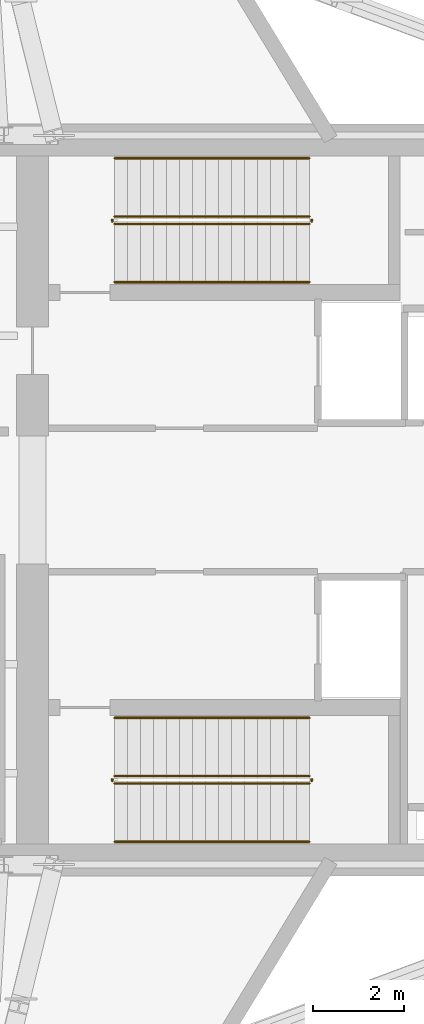
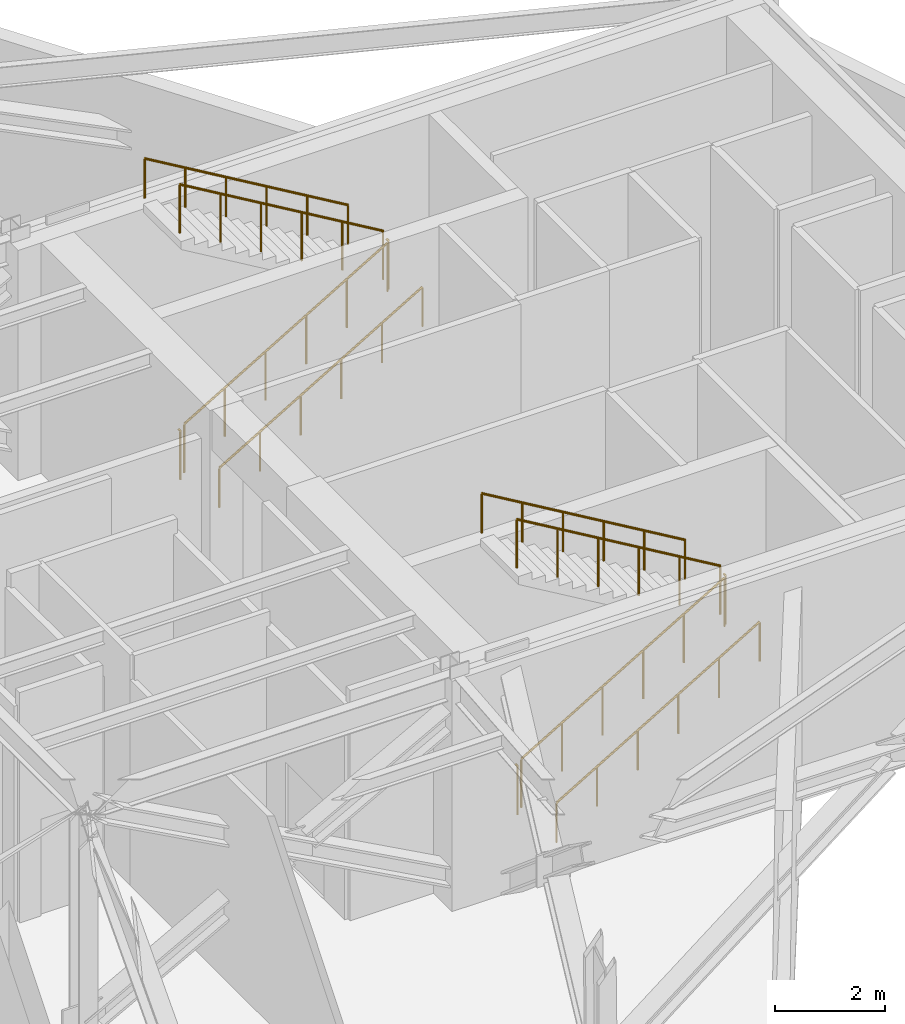
# One storey, part 5 of 5: 12 railings.
"""IFC4 building model written with IfcOpenShell, lengths in metres."""

from ifc_helpers import new_model, si_unit, direction, frame, origin, origin_2d, place, context, subcontext, project, spatial, circle, extrude, material, type_object, element, save


model = new_model("IFC4")

# Units and contexts
model_context = context("Model", 3, precision=1e-05, world=origin(), true_north=direction((0.0, 1.0)))
body_context = subcontext(model_context, "Body", "Model", "MODEL_VIEW")
ifc_project = project(units=[si_unit("LENGTHUNIT", "METRE"), si_unit("AREAUNIT", "SQUARE_METRE"), si_unit("VOLUMEUNIT", "CUBIC_METRE"), si_unit("PLANEANGLEUNIT", "RADIAN"), si_unit("MASSUNIT", "GRAM", prefix="KILO")], contexts=[model_context])

# Site, building, storey
site_placement = place(None, origin())
site = spatial("IfcSite", under=ifc_project, at=site_placement, CompositionType="ELEMENT")
building_placement = place(site_placement, origin())
building = spatial("IfcBuilding", under=site, at=building_placement, Name="Veymaron Broadcast Tower", CompositionType="ELEMENT")
storey_placement = place(building_placement, frame((0.0, 0.0, 181.64990234375)))
storey = spatial("IfcBuildingStorey", under=building, at=storey_placement, Name="L42", CompositionType="ELEMENT", Elevation=181.64990234375)

# Railings
ifc_material_1 = material(Name="Brushed stainless steel AISI 304", Category="steel")
railing_type_1 = type_object("IfcRailingType", Name="RAIL-STAIR-HR", PredefinedType="HANDRAIL", material=ifc_material_1)
railing_1_placement = place(storey_placement, frame((41.429931640625, 28.780029296875, 0.1689453125)))
element("IfcRailing", 1, at=railing_1_placement, inside=storey, type_object=railing_type_1, Name="L42 ST1 stair handrail 1", PredefinedType="HANDRAIL", context=body_context, shape_type="SweptSolid", body=[
    extrude(circle(Radius=0.02392578125, at=origin_2d()), frame((0.0, 0.0, 0.8759765625), z_axis=(0.860483042394, 0.0, 0.50947908078), x_axis=(0.0, 1.0, 0.0)), (0.0, 0.0, 1.0), 4.96826171875),
    extrude(circle(Radius=0.02099609375, at=origin_2d()), origin(), (0.0, 0.0, 1.0), 0.851806640625),
    extrude(circle(Radius=0.02099609375, at=origin_2d()), frame((0.85498046875, 0.0, 0.50634765625)), (0.0, 0.0, 1.0), 0.851806640625),
    extrude(circle(Radius=0.02099609375, at=origin_2d()), frame((1.7099609375, 0.0, 1.012451171875)), (0.0, 0.0, 1.0), 0.851806640625),
    extrude(circle(Radius=0.02099609375, at=origin_2d()), frame((2.565185546875, 0.0, 1.518798828125)), (0.0, 0.0, 1.0), 0.851806640625),
    extrude(circle(Radius=0.02099609375, at=origin_2d()), frame((3.420166015625, 0.0, 2.02490234375)), (0.0, 0.0, 1.0), 0.851806640625),
    extrude(circle(Radius=0.02099609375, at=origin_2d()), frame((4.275146484375, 0.0, 2.53125)), (0.0, 0.0, 1.0), 0.851806640625),
])
railing_2_placement = place(storey_placement, frame((45.705078125, 31.5, 2.868896484375)))
element("IfcRailing", 2, at=railing_2_placement, inside=storey, type_object=railing_type_1, Name="L42 ST1 stair handrail 2", PredefinedType="HANDRAIL", context=body_context, shape_type="SweptSolid", body=[
    extrude(circle(Radius=0.02392578125, at=origin_2d()), frame((0.0, 0.0, 0.8759765625), z_axis=(-0.860483042394, 0.0, 0.50947908078), x_axis=(0.0, -1.0, 0.0)), (0.0, 0.0, 1.0), 4.96826171875),
    extrude(circle(Radius=0.02099609375, at=origin_2d()), origin(), (0.0, 0.0, 1.0), 0.851806640625),
    extrude(circle(Radius=0.02099609375, at=origin_2d()), frame((-0.85498046875, 0.0, 0.50634765625)), (0.0, 0.0, 1.0), 0.851806640625),
    extrude(circle(Radius=0.02099609375, at=origin_2d()), frame((-1.7099609375, 0.0, 1.012451171875)), (0.0, 0.0, 1.0), 0.851806640625),
    extrude(circle(Radius=0.02099609375, at=origin_2d()), frame((-2.565185546875, 0.0, 1.518798828125)), (0.0, 0.0, 1.0), 0.851806640625),
    extrude(circle(Radius=0.02099609375, at=origin_2d()), frame((-3.420166015625, 0.0, 2.02490234375)), (0.0, 0.0, 1.0), 0.851806640625),
    extrude(circle(Radius=0.02099609375, at=origin_2d()), frame((-4.275146484375, 0.0, 2.53125)), (0.0, 0.0, 1.0), 0.851806640625),
])
railing_3_placement = place(storey_placement, frame((41.429931640625, 16.5, 0.1689453125)))
element("IfcRailing", 3, at=railing_3_placement, inside=storey, type_object=railing_type_1, Name="L42 ST2 stair handrail 1", PredefinedType="HANDRAIL", context=body_context, shape_type="SweptSolid", body=[
    extrude(circle(Radius=0.02392578125, at=origin_2d()), frame((0.0, 0.0, 0.8759765625), z_axis=(0.860483042394, 0.0, 0.50947908078), x_axis=(0.0, 1.0, 0.0)), (0.0, 0.0, 1.0), 4.96826171875),
    extrude(circle(Radius=0.02099609375, at=origin_2d()), origin(), (0.0, 0.0, 1.0), 0.851806640625),
    extrude(circle(Radius=0.02099609375, at=origin_2d()), frame((0.85498046875, 0.0, 0.50634765625)), (0.0, 0.0, 1.0), 0.851806640625),
    extrude(circle(Radius=0.02099609375, at=origin_2d()), frame((1.7099609375, 0.0, 1.012451171875)), (0.0, 0.0, 1.0), 0.851806640625),
    extrude(circle(Radius=0.02099609375, at=origin_2d()), frame((2.565185546875, 0.0, 1.518798828125)), (0.0, 0.0, 1.0), 0.851806640625),
    extrude(circle(Radius=0.02099609375, at=origin_2d()), frame((3.420166015625, 0.0, 2.02490234375)), (0.0, 0.0, 1.0), 0.851806640625),
    extrude(circle(Radius=0.02099609375, at=origin_2d()), frame((4.275146484375, 0.0, 2.53125)), (0.0, 0.0, 1.0), 0.851806640625),
])
railing_4_placement = place(storey_placement, frame((45.705078125, 19.219970703125, 2.868896484375)))
element("IfcRailing", 4, at=railing_4_placement, inside=storey, type_object=railing_type_1, Name="L42 ST2 stair handrail 2", PredefinedType="HANDRAIL", context=body_context, shape_type="SweptSolid", body=[
    extrude(circle(Radius=0.02392578125, at=origin_2d()), frame((0.0, 0.0, 0.8759765625), z_axis=(-0.860483042394, 0.0, 0.50947908078), x_axis=(0.0, -1.0, 0.0)), (0.0, 0.0, 1.0), 4.96826171875),
    extrude(circle(Radius=0.02099609375, at=origin_2d()), origin(), (0.0, 0.0, 1.0), 0.851806640625),
    extrude(circle(Radius=0.02099609375, at=origin_2d()), frame((-0.85498046875, 0.0, 0.50634765625)), (0.0, 0.0, 1.0), 0.851806640625),
    extrude(circle(Radius=0.02099609375, at=origin_2d()), frame((-1.7099609375, 0.0, 1.012451171875)), (0.0, 0.0, 1.0), 0.851806640625),
    extrude(circle(Radius=0.02099609375, at=origin_2d()), frame((-2.565185546875, 0.0, 1.518798828125)), (0.0, 0.0, 1.0), 0.851806640625),
    extrude(circle(Radius=0.02099609375, at=origin_2d()), frame((-3.420166015625, 0.0, 2.02490234375)), (0.0, 0.0, 1.0), 0.851806640625),
    extrude(circle(Radius=0.02099609375, at=origin_2d()), frame((-4.275146484375, 0.0, 2.53125)), (0.0, 0.0, 1.0), 0.851806640625),
])
ifc_material_2 = material(Name="Painted galvanized steel balustrade", Category="steel")
railing_type_2 = type_object("IfcRailingType", Name="RAIL-WELL-GRD", PredefinedType="GUARDRAIL", material=ifc_material_2)
railing_5_placement = place(storey_placement, frame((41.429931640625, 30.06005859375, 0.1689453125)))
element("IfcRailing", 5, at=railing_5_placement, inside=storey, type_object=railing_type_2, Name="L42 ST1 stair guard 1", PredefinedType="GUARDRAIL", context=body_context, shape_type="SweptSolid", body=[
    extrude(circle(Radius=0.02392578125, at=origin_2d()), frame((0.0, 0.0, 1.076171875), z_axis=(0.860483042394, 0.0, 0.50947908078), x_axis=(0.0, 1.0, 0.0)), (0.0, 0.0, 1.0), 4.96826171875),
    extrude(circle(Radius=0.02099609375, at=origin_2d()), origin(), (0.0, 0.0, 1.0), 1.052001953125),
    extrude(circle(Radius=0.02099609375, at=origin_2d()), frame((0.85498046875, 0.0, 0.50634765625)), (0.0, 0.0, 1.0), 1.052001953125),
    extrude(circle(Radius=0.02099609375, at=origin_2d()), frame((1.7099609375, 0.0, 1.012451171875)), (0.0, 0.0, 1.0), 1.052001953125),
    extrude(circle(Radius=0.02099609375, at=origin_2d()), frame((2.565185546875, 0.0, 1.518798828125)), (0.0, 0.0, 1.0), 1.052001953125),
    extrude(circle(Radius=0.02099609375, at=origin_2d()), frame((3.420166015625, 0.0, 2.02490234375)), (0.0, 0.0, 1.0), 1.052001953125),
    extrude(circle(Radius=0.02099609375, at=origin_2d()), frame((4.275146484375, 0.0, 2.53125)), (0.0, 0.0, 1.0), 1.052001953125),
])
railing_6_placement = place(storey_placement, frame((45.7548828125, 30.110107421875, 2.7001953125)))
element("IfcRailing", 6, at=railing_6_placement, inside=storey, type_object=railing_type_2, Name="L42 ST1 stair guard 2", PredefinedType="GUARDRAIL", context=body_context, shape_type="SweptSolid", body=[
    extrude(circle(Radius=0.02392578125, at=origin_2d()), frame((0.0, 0.0, 1.076171875), z_axis=(0.0, 1.0, 0.0), x_axis=(-1.0, 0.0, 0.0)), (0.0, 0.0, 1.0), 0.059814453125),
    extrude(circle(Radius=0.02099609375, at=origin_2d()), origin(), (0.0, 0.0, 1.0), 1.052001953125),
])
railing_7_placement = place(storey_placement, frame((45.705078125, 30.219970703125, 2.868896484375)))
element("IfcRailing", 7, at=railing_7_placement, inside=storey, type_object=railing_type_2, Name="L42 ST1 stair guard 3", PredefinedType="GUARDRAIL", context=body_context, shape_type="SweptSolid", body=[
    extrude(circle(Radius=0.02392578125, at=origin_2d()), frame((0.0, 0.0, 1.076171875), z_axis=(-0.860483042394, 0.0, 0.50947908078), x_axis=(0.0, -1.0, 0.0)), (0.0, 0.0, 1.0), 4.96826171875),
    extrude(circle(Radius=0.02099609375, at=origin_2d()), origin(), (0.0, 0.0, 1.0), 1.052001953125),
    extrude(circle(Radius=0.02099609375, at=origin_2d()), frame((-0.85498046875, 0.0, 0.50634765625)), (0.0, 0.0, 1.0), 1.052001953125),
    extrude(circle(Radius=0.02099609375, at=origin_2d()), frame((-1.7099609375, 0.0, 1.012451171875)), (0.0, 0.0, 1.0), 1.052001953125),
    extrude(circle(Radius=0.02099609375, at=origin_2d()), frame((-2.565185546875, 0.0, 1.518798828125)), (0.0, 0.0, 1.0), 1.052001953125),
    extrude(circle(Radius=0.02099609375, at=origin_2d()), frame((-3.420166015625, 0.0, 2.02490234375)), (0.0, 0.0, 1.0), 1.052001953125),
    extrude(circle(Radius=0.02099609375, at=origin_2d()), frame((-4.275146484375, 0.0, 2.53125)), (0.0, 0.0, 1.0), 1.052001953125),
])
railing_8_placement = place(storey_placement, frame((41.3798828125, 30.110107421875, 0.0)))
element("IfcRailing", 8, at=railing_8_placement, inside=storey, type_object=railing_type_2, Name="L42 ST1 stair guard 4", PredefinedType="GUARDRAIL", context=body_context, shape_type="SweptSolid", body=[
    extrude(circle(Radius=0.02392578125, at=origin_2d()), frame((0.0, 0.0, 1.076171875), z_axis=(0.0, 1.0, 0.0), x_axis=(-1.0, 0.0, 0.0)), (0.0, 0.0, 1.0), 0.059814453125),
    extrude(circle(Radius=0.02099609375, at=origin_2d()), origin(), (0.0, 0.0, 1.0), 1.052001953125),
])
railing_9_placement = place(storey_placement, frame((41.429931640625, 17.780029296875, 0.1689453125)))
element("IfcRailing", 9, at=railing_9_placement, inside=storey, type_object=railing_type_2, Name="L42 ST2 stair guard 1", PredefinedType="GUARDRAIL", context=body_context, shape_type="SweptSolid", body=[
    extrude(circle(Radius=0.02392578125, at=origin_2d()), frame((0.0, 0.0, 1.076171875), z_axis=(0.860483042394, 0.0, 0.50947908078), x_axis=(0.0, 1.0, 0.0)), (0.0, 0.0, 1.0), 4.96826171875),
    extrude(circle(Radius=0.02099609375, at=origin_2d()), origin(), (0.0, 0.0, 1.0), 1.052001953125),
    extrude(circle(Radius=0.02099609375, at=origin_2d()), frame((0.85498046875, 0.0, 0.50634765625)), (0.0, 0.0, 1.0), 1.052001953125),
    extrude(circle(Radius=0.02099609375, at=origin_2d()), frame((1.7099609375, 0.0, 1.012451171875)), (0.0, 0.0, 1.0), 1.052001953125),
    extrude(circle(Radius=0.02099609375, at=origin_2d()), frame((2.565185546875, 0.0, 1.518798828125)), (0.0, 0.0, 1.0), 1.052001953125),
    extrude(circle(Radius=0.02099609375, at=origin_2d()), frame((3.420166015625, 0.0, 2.02490234375)), (0.0, 0.0, 1.0), 1.052001953125),
    extrude(circle(Radius=0.02099609375, at=origin_2d()), frame((4.275146484375, 0.0, 2.53125)), (0.0, 0.0, 1.0), 1.052001953125),
])
railing_10_placement = place(storey_placement, frame((45.7548828125, 17.830078125, 2.7001953125)))
element("IfcRailing", 10, at=railing_10_placement, inside=storey, type_object=railing_type_2, Name="L42 ST2 stair guard 2", PredefinedType="GUARDRAIL", context=body_context, shape_type="SweptSolid", body=[
    extrude(circle(Radius=0.02392578125, at=origin_2d()), frame((0.0, 0.0, 1.076171875), z_axis=(0.0, 1.0, 0.0), x_axis=(-1.0, 0.0, 0.0)), (0.0, 0.0, 1.0), 0.059814453125),
    extrude(circle(Radius=0.02099609375, at=origin_2d()), origin(), (0.0, 0.0, 1.0), 1.052001953125),
])
railing_11_placement = place(storey_placement, frame((45.705078125, 17.93994140625, 2.868896484375)))
element("IfcRailing", 11, at=railing_11_placement, inside=storey, type_object=railing_type_2, Name="L42 ST2 stair guard 3", PredefinedType="GUARDRAIL", context=body_context, shape_type="SweptSolid", body=[
    extrude(circle(Radius=0.02392578125, at=origin_2d()), frame((0.0, 0.0, 1.076171875), z_axis=(-0.860483042394, 0.0, 0.50947908078), x_axis=(0.0, -1.0, 0.0)), (0.0, 0.0, 1.0), 4.96826171875),
    extrude(circle(Radius=0.02099609375, at=origin_2d()), origin(), (0.0, 0.0, 1.0), 1.052001953125),
    extrude(circle(Radius=0.02099609375, at=origin_2d()), frame((-0.85498046875, 0.0, 0.50634765625)), (0.0, 0.0, 1.0), 1.052001953125),
    extrude(circle(Radius=0.02099609375, at=origin_2d()), frame((-1.7099609375, 0.0, 1.012451171875)), (0.0, 0.0, 1.0), 1.052001953125),
    extrude(circle(Radius=0.02099609375, at=origin_2d()), frame((-2.565185546875, 0.0, 1.518798828125)), (0.0, 0.0, 1.0), 1.052001953125),
    extrude(circle(Radius=0.02099609375, at=origin_2d()), frame((-3.420166015625, 0.0, 2.02490234375)), (0.0, 0.0, 1.0), 1.052001953125),
    extrude(circle(Radius=0.02099609375, at=origin_2d()), frame((-4.275146484375, 0.0, 2.53125)), (0.0, 0.0, 1.0), 1.052001953125),
])
railing_12_placement = place(storey_placement, frame((41.3798828125, 17.830078125, 0.0)))
element("IfcRailing", 12, at=railing_12_placement, inside=storey, type_object=railing_type_2, Name="L42 ST2 stair guard 4", PredefinedType="GUARDRAIL", context=body_context, shape_type="SweptSolid", body=[
    extrude(circle(Radius=0.02392578125, at=origin_2d()), frame((0.0, 0.0, 1.076171875), z_axis=(0.0, 1.0, 0.0), x_axis=(-1.0, 0.0, 0.0)), (0.0, 0.0, 1.0), 0.059814453125),
    extrude(circle(Radius=0.02099609375, at=origin_2d()), origin(), (0.0, 0.0, 1.0), 1.052001953125),
])

save(model, "model.ifc")
